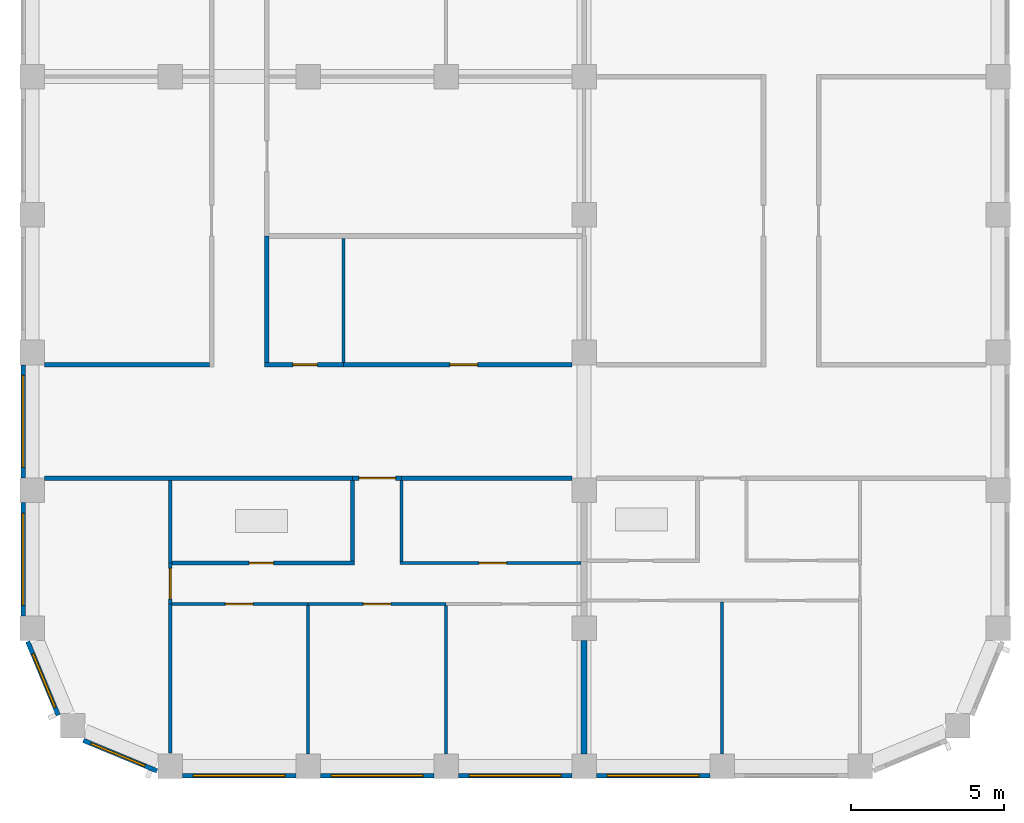
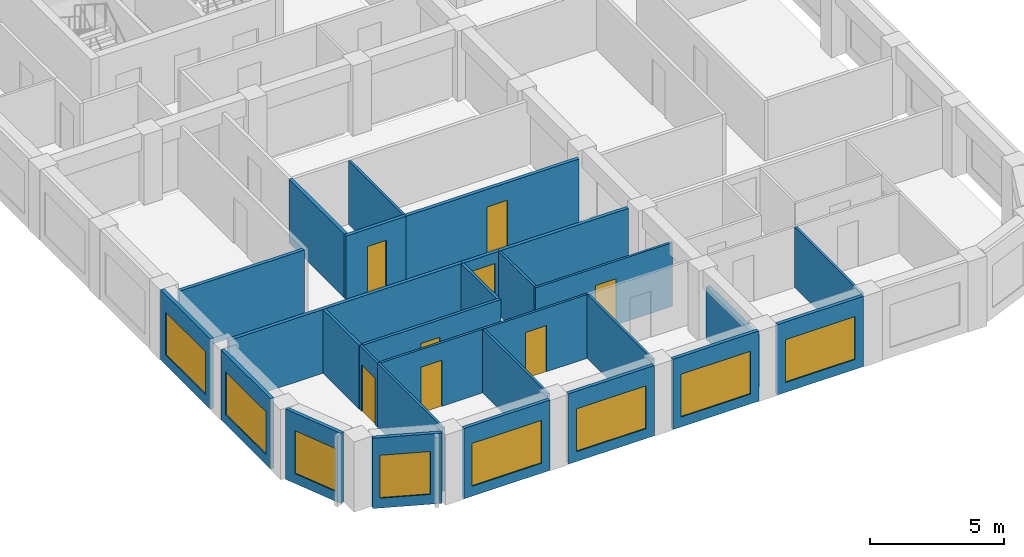
# One storey, part 2 of 10: 29 walls, 8 doors, 8 windows, 16 openings.
"""IFC4 building model written with IfcOpenShell, lengths in metres."""

from ifc_helpers import new_model, si_unit, direction, frame, frame_2d, origin, place, context, subcontext, project, spatial, rectangle, extrude, material, layer, layer_set, type_object, element, fill, save


model = new_model("IFC4")

# Units and contexts
model_context = context("Model", 3, precision=1e-05, world=origin(), true_north=direction((0.0, 1.0)))
body_context = subcontext(model_context, "Body", "Model", "MODEL_VIEW")
ifc_project = project(units=[si_unit("LENGTHUNIT", "METRE"), si_unit("AREAUNIT", "SQUARE_METRE"), si_unit("VOLUMEUNIT", "CUBIC_METRE"), si_unit("PLANEANGLEUNIT", "RADIAN"), si_unit("MASSUNIT", "GRAM", prefix="KILO")], contexts=[model_context])

# Site, building, storey
site_placement = place(None, origin())
site = spatial("IfcSite", under=ifc_project, at=site_placement, CompositionType="ELEMENT")
building_placement = place(site_placement, origin())
building = spatial("IfcBuilding", under=site, at=building_placement, Name="Girih Gate Residences", CompositionType="ELEMENT")
storey_placement = place(building_placement, frame((0.0, 0.0, 229.294921875)))
storey = spatial("IfcBuildingStorey", under=building, at=storey_placement, Name="L64", CompositionType="ELEMENT", Elevation=229.294921875)

# Wall, opening, door
ifc_material_1 = material(Name="Gypsum board on steel studs", Category="steel")
ifc_layer_1 = layer(ifc_material_1, 0.14990234375)
ifc_layer_set_1 = layer_set([ifc_layer_1], Name="Compartment wall 150 mm")
wall_type_1 = type_object("IfcWallType", Name="Compartment wall 150 mm", PredefinedType="PARTITIONING", material=ifc_layer_set_1)
wall_1_placement = place(storey_placement, frame((12.050048828125, 9.39990234375, 0.0), z_axis=(0.0, 0.0, 1.0), x_axis=(-1.0, 0.0, 0.0)))
wall_1 = element("IfcWall", 1, at=wall_1_placement, inside=storey, type_object=wall_type_1, Name="L64 partition", PredefinedType="PARTITIONING", context=body_context, shape_type="SweptSolid", body=[
    extrude(rectangle(XDim=1.60009765625, YDim=0.14990234375, at=frame_2d((0.800048828125, 0.0))), origin(), (0.0, 0.0, 1.0), 2.900146484375),
])
opening_1_placement = place(wall_1_placement, frame((0.199951171875, 0.0, 0.0)))
opening_1 = element("IfcOpeningElement", 2, at=opening_1_placement, cuts=wall_1, Name="Opening A64-007", PredefinedType="OPENING", context=body_context, shape_type="SweptSolid", body=[
    extrude(rectangle(XDim=1.199951171875, YDim=2.39990234375, at=frame_2d((0.60009765625, 1.199951171875))), frame((0.0, 0.0849609375, 0.0), z_axis=(0.0, -1.0, 0.0), x_axis=(1.0, 0.0, 0.0)), (0.0, 0.0, 1.0), 0.169921875),
])
ifc_material_2 = material(Name="Timber, fire-rated core", Category="wood")
door_type_1 = type_object("IfcDoorType", Name="Villa entrance door 1200x2400 FD30S", OperationType="NOTDEFINED", PredefinedType="DOOR", material=ifc_material_2)
door_1_placement = place(opening_1_placement, origin())
door_1 = element("IfcDoor", 3, at=door_1_placement, inside=storey, type_object=door_type_1, Name="Door A64-007", OperationType="SINGLE_SWING_LEFT", OverallHeight=2.39990234375, OverallWidth=1.199951171875, PredefinedType="DOOR", context=body_context, shape_type="SweptSolid", body=[
    extrude(rectangle(XDim=1.199951171875, YDim=2.39990234375, at=frame_2d((0.60009765625, 1.199951171875))), frame((0.0, 0.02490234375, 0.0), z_axis=(0.0, -1.0, 0.0), x_axis=(1.0, 0.0, 0.0)), (0.0, 0.0, 1.0), 0.050048828125),
])
fill(opening_1, door_1)

# Walls
wall_2_placement = place(storey_placement, frame((12.050048828125, 9.39990234375, 0.0), z_axis=(0.0, 0.0, 1.0), x_axis=(1.0, 0.0, 0.0)))
element("IfcWall", 4, at=wall_2_placement, inside=storey, type_object=wall_type_1, Name="L64 partition", PredefinedType="PARTITIONING", context=body_context, shape_type="SweptSolid", body=[
    extrude(rectangle(XDim=5.550048828125, YDim=0.14990234375, at=frame_2d((2.77490234375, 0.0))), origin(), (0.0, 0.0, 1.0), 2.900146484375),
])
wall_3_placement = place(storey_placement, frame((0.39990234375, 9.39990234375, 0.0), z_axis=(0.0, 0.0, 1.0), x_axis=(1.0, 0.0, 0.0)))
element("IfcWall", 5, at=wall_3_placement, inside=storey, type_object=wall_type_1, Name="L64 partition", PredefinedType="PARTITIONING", context=body_context, shape_type="SweptSolid", body=[
    extrude(rectangle(XDim=10.050048828125, YDim=0.14990234375, at=frame_2d((5.02490234375, 0.0))), origin(), (0.0, 0.0, 1.0), 2.900146484375),
])

# Wall, opening, door
wall_4_placement = place(storey_placement, frame((10.14990234375, 13.10009765625, 0.0), z_axis=(0.0, 0.0, 1.0), x_axis=(1.0, 0.0, 0.0)))
wall_4 = element("IfcWall", 6, at=wall_4_placement, inside=storey, type_object=wall_type_1, Name="L64 partition", PredefinedType="PARTITIONING", context=body_context, shape_type="SweptSolid", body=[
    extrude(rectangle(XDim=7.4501953125, YDim=0.14990234375, at=frame_2d((3.72509765625, 0.0))), origin(), (0.0, 0.0, 1.0), 2.900146484375),
])
opening_2_placement = place(wall_4_placement, frame((3.47509765625, 0.0, 0.0)))
opening_2 = element("IfcOpeningElement", 7, at=opening_2_placement, cuts=wall_4, Name="Opening A64-029", PredefinedType="OPENING", context=body_context, shape_type="SweptSolid", body=[
    extrude(rectangle(XDim=0.89990234375, YDim=2.10009765625, at=frame_2d((0.449951171875, 1.050048828125))), frame((0.0, 0.0849609375, 0.0), z_axis=(0.0, -1.0, 0.0), x_axis=(1.0, 0.0, 0.0)), (0.0, 0.0, 1.0), 0.169921875),
])
ifc_material_3 = material(Name="Timber", Category="wood")
door_type_2 = type_object("IfcDoorType", Name="Service room door 900x2100", OperationType="NOTDEFINED", PredefinedType="DOOR", material=ifc_material_3)
door_2_placement = place(opening_2_placement, origin())
door_2 = element("IfcDoor", 8, at=door_2_placement, inside=storey, type_object=door_type_2, Name="Door A64-029", OperationType="SINGLE_SWING_RIGHT", OverallHeight=2.10009765625, OverallWidth=0.89990234375, PredefinedType="DOOR", context=body_context, shape_type="SweptSolid", body=[
    extrude(rectangle(XDim=0.89990234375, YDim=2.10009765625, at=frame_2d((0.449951171875, 1.050048828125))), frame((0.0, 0.02490234375, 0.0), z_axis=(0.0, -1.0, 0.0), x_axis=(1.0, 0.0, 0.0)), (0.0, 0.0, 1.0), 0.050048828125),
])
fill(opening_2, door_2)

wall_5_placement = place(storey_placement, frame((7.574951171875, 13.10009765625, 0.0), z_axis=(0.0, 0.0, 1.0), x_axis=(1.0, 0.0, 0.0)))
wall_5 = element("IfcWall", 9, at=wall_5_placement, inside=storey, type_object=wall_type_1, Name="L64 partition", PredefinedType="PARTITIONING", context=body_context, shape_type="SweptSolid", body=[
    extrude(rectangle(XDim=2.574951171875, YDim=0.14990234375, at=frame_2d((1.28759765625, 0.0))), origin(), (0.0, 0.0, 1.0), 2.900146484375),
])
opening_3_placement = place(wall_5_placement, frame((0.925048828125, 0.0, 0.0)))
opening_3 = element("IfcOpeningElement", 10, at=opening_3_placement, cuts=wall_5, Name="Opening A64-030", PredefinedType="OPENING", context=body_context, shape_type="SweptSolid", body=[
    extrude(rectangle(XDim=0.800048828125, YDim=2.10009765625, at=frame_2d((0.39990234375, 1.050048828125))), frame((0.0, 0.0849609375, 0.0), z_axis=(0.0, -1.0, 0.0), x_axis=(1.0, 0.0, 0.0)), (0.0, 0.0, 1.0), 0.169921875),
])
door_type_3 = type_object("IfcDoorType", Name="Bathroom door 800x2100", OperationType="NOTDEFINED", PredefinedType="DOOR", material=ifc_material_3)
door_3_placement = place(opening_3_placement, origin())
door_3 = element("IfcDoor", 11, at=door_3_placement, inside=storey, type_object=door_type_3, Name="Door A64-030", OperationType="SINGLE_SWING_RIGHT", OverallHeight=2.10009765625, OverallWidth=0.800048828125, PredefinedType="DOOR", context=body_context, shape_type="SweptSolid", body=[
    extrude(rectangle(XDim=0.800048828125, YDim=2.10009765625, at=frame_2d((0.39990234375, 1.050048828125))), frame((0.0, 0.02490234375, 0.0), z_axis=(0.0, -1.0, 0.0), x_axis=(1.0, 0.0, 0.0)), (0.0, 0.0, 1.0), 0.050048828125),
])
fill(opening_3, door_3)

# Walls
wall_6_placement = place(storey_placement, frame((0.39990234375, 13.10009765625, 0.0), z_axis=(0.0, 0.0, 1.0), x_axis=(1.0, 0.0, 0.0)))
element("IfcWall", 12, at=wall_6_placement, inside=storey, type_object=wall_type_1, Name="L64 partition", PredefinedType="PARTITIONING", context=body_context, shape_type="SweptSolid", body=[
    extrude(rectangle(XDim=5.375, YDim=0.14990234375, at=frame_2d((2.6875, 0.0))), origin(), (0.0, 0.0, 1.0), 2.900146484375),
])
wall_7_placement = place(storey_placement, frame((7.64990234375, 13.175048828125, 0.0), z_axis=(0.0, 0.0, 1.0), x_axis=(0.0, 1.0, 0.0)))
element("IfcWall", 13, at=wall_7_placement, inside=storey, type_object=wall_type_1, Name="L64 partition", PredefinedType="PARTITIONING", context=body_context, shape_type="SweptSolid", body=[
    extrude(rectangle(XDim=4.125, YDim=0.14990234375, at=frame_2d((2.0625, 0.0))), origin(), (0.0, 0.0, 1.0), 2.900146484375),
])
ifc_layer_2 = layer(ifc_material_1, 0.10009765625)
ifc_layer_set_2 = layer_set([ifc_layer_2], Name="Partition 100 mm")
wall_type_2 = type_object("IfcWallType", Name="Partition 100 mm", PredefinedType="PARTITIONING", material=ifc_layer_set_2)
wall_8_placement = place(storey_placement, frame((9.0, 0.39990234375, 0.0), z_axis=(0.0, 0.0, 1.0), x_axis=(0.0, 1.0, 0.0)))
element("IfcWall", 14, at=wall_8_placement, inside=storey, type_object=wall_type_2, Name="L64 partition", PredefinedType="PARTITIONING", context=body_context, shape_type="SweptSolid", body=[
    extrude(rectangle(XDim=4.840087890625, YDim=0.10009765625, at=frame_2d((2.419921875, 0.0))), origin(), (0.0, 0.0, 1.0), 2.900146484375),
])

# Wall, opening, door
wall_9_placement = place(storey_placement, frame((9.0, 5.2900390625, 0.0), z_axis=(0.0, 0.0, 1.0), x_axis=(-1.0, 0.0, 0.0)))
wall_9 = element("IfcWall", 15, at=wall_9_placement, inside=storey, type_object=wall_type_2, Name="L64 partition", PredefinedType="PARTITIONING", context=body_context, shape_type="SweptSolid", body=[
    extrude(rectangle(XDim=4.449951171875, YDim=0.10009765625, at=frame_2d((2.22509765625, 0.0))), origin(), (0.0, 0.0, 1.0), 2.900146484375),
])
opening_4_placement = place(wall_9_placement, frame((1.800048828125, 0.0, 0.0)))
opening_4 = element("IfcOpeningElement", 16, at=opening_4_placement, cuts=wall_9, Name="Opening A64-002", PredefinedType="OPENING", context=body_context, shape_type="SweptSolid", body=[
    extrude(rectangle(XDim=0.89990234375, YDim=2.10009765625, at=frame_2d((0.449951171875, 1.050048828125))), frame((0.0, 0.06005859375, 0.0), z_axis=(0.0, -1.0, 0.0), x_axis=(1.0, 0.0, 0.0)), (0.0, 0.0, 1.0), 0.1201171875),
])
door_type_4 = type_object("IfcDoorType", Name="Bedroom door 900x2100", OperationType="NOTDEFINED", PredefinedType="DOOR", material=ifc_material_3)
door_4_placement = place(opening_4_placement, origin())
door_4 = element("IfcDoor", 17, at=door_4_placement, inside=storey, type_object=door_type_4, Name="Door A64-002", OperationType="SINGLE_SWING_RIGHT", OverallHeight=2.10009765625, OverallWidth=0.89990234375, PredefinedType="DOOR", context=body_context, shape_type="SweptSolid", body=[
    extrude(rectangle(XDim=0.89990234375, YDim=2.10009765625, at=frame_2d((0.449951171875, 1.050048828125))), frame((0.0, 0.02490234375, 0.0), z_axis=(0.0, -1.0, 0.0), x_axis=(1.0, 0.0, 0.0)), (0.0, 0.0, 1.0), 0.050048828125),
])
fill(opening_4, door_4)

# Walls
wall_10_placement = place(storey_placement, frame((4.5, 0.432861328125, 0.0), z_axis=(0.0, 0.0, 1.0), x_axis=(0.0, 1.0, 0.0)))
element("IfcWall", 18, at=wall_10_placement, inside=storey, type_object=wall_type_2, Name="L64 partition", PredefinedType="PARTITIONING", context=body_context, shape_type="SweptSolid", body=[
    extrude(rectangle(XDim=4.857177734375, YDim=0.10009765625, at=frame_2d((2.4287109375, 0.0))), origin(), (0.0, 0.0, 1.0), 2.900146484375),
])
wall_11_placement = place(storey_placement, frame((13.5, 0.39990234375, 0.0), z_axis=(0.0, 0.0, 1.0), x_axis=(0.0, 1.0, 0.0)))
element("IfcWall", 19, at=wall_11_placement, inside=storey, type_object=wall_type_2, Name="L64 partition", PredefinedType="PARTITIONING", context=body_context, shape_type="SweptSolid", body=[
    extrude(rectangle(XDim=4.840087890625, YDim=0.10009765625, at=frame_2d((2.419921875, 0.0))), origin(), (0.0, 0.0, 1.0), 2.900146484375),
])

# Wall, opening, door
wall_12_placement = place(storey_placement, frame((13.5, 5.2900390625, 0.0), z_axis=(0.0, 0.0, 1.0), x_axis=(-1.0, 0.0, 0.0)))
wall_12 = element("IfcWall", 20, at=wall_12_placement, inside=storey, type_object=wall_type_2, Name="L64 partition", PredefinedType="PARTITIONING", context=body_context, shape_type="SweptSolid", body=[
    extrude(rectangle(XDim=4.5, YDim=0.10009765625, at=frame_2d((2.25, 0.0))), origin(), (0.0, 0.0, 1.0), 2.900146484375),
])
opening_5_placement = place(wall_12_placement, frame((1.800048828125, 0.0, 0.0)))
opening_5 = element("IfcOpeningElement", 21, at=opening_5_placement, cuts=wall_12, Name="Opening A64-003", PredefinedType="OPENING", context=body_context, shape_type="SweptSolid", body=[
    extrude(rectangle(XDim=0.89990234375, YDim=2.10009765625, at=frame_2d((0.449951171875, 1.050048828125))), frame((0.0, 0.06005859375, 0.0), z_axis=(0.0, -1.0, 0.0), x_axis=(1.0, 0.0, 0.0)), (0.0, 0.0, 1.0), 0.1201171875),
])
door_5_placement = place(opening_5_placement, origin())
door_5 = element("IfcDoor", 22, at=door_5_placement, inside=storey, type_object=door_type_4, Name="Door A64-003", OperationType="SINGLE_SWING_LEFT", OverallHeight=2.10009765625, OverallWidth=0.89990234375, PredefinedType="DOOR", context=body_context, shape_type="SweptSolid", body=[
    extrude(rectangle(XDim=0.89990234375, YDim=2.10009765625, at=frame_2d((0.449951171875, 1.050048828125))), frame((0.0, 0.02490234375, 0.0), z_axis=(0.0, -1.0, 0.0), x_axis=(1.0, 0.0, 0.0)), (0.0, 0.0, 1.0), 0.050048828125),
])
fill(opening_5, door_5)

# Wall
wall_13_placement = place(storey_placement, frame((12.050048828125, 6.679931640625, 0.0), z_axis=(0.0, 0.0, 1.0), x_axis=(0.0, 1.0, 0.0)))
element("IfcWall", 23, at=wall_13_placement, inside=storey, type_object=wall_type_2, Name="L64 partition", PredefinedType="PARTITIONING", context=body_context, shape_type="SweptSolid", body=[
    extrude(rectangle(XDim=2.64501953125, YDim=0.10009765625, at=frame_2d((1.322509765625, 0.0))), origin(), (0.0, 0.0, 1.0), 2.900146484375),
])

# Wall, opening, door
wall_14_placement = place(storey_placement, frame((12.0, 6.6298828125, 0.0), z_axis=(0.0, 0.0, 1.0), x_axis=(1.0, 0.0, 0.0)))
wall_14 = element("IfcWall", 24, at=wall_14_placement, inside=storey, type_object=wall_type_2, Name="L64 partition", PredefinedType="PARTITIONING", context=body_context, shape_type="SweptSolid", body=[
    extrude(rectangle(XDim=5.89990234375, YDim=0.10009765625, at=frame_2d((2.949951171875, 0.0))), origin(), (0.0, 0.0, 1.0), 2.900146484375),
])
opening_6_placement = place(wall_14_placement, frame((2.574951171875, 0.0, 0.0)))
opening_6 = element("IfcOpeningElement", 25, at=opening_6_placement, cuts=wall_14, Name="Opening A64-005", PredefinedType="OPENING", context=body_context, shape_type="SweptSolid", body=[
    extrude(rectangle(XDim=0.89990234375, YDim=2.10009765625, at=frame_2d((0.449951171875, 1.050048828125))), frame((0.0, 0.06005859375, 0.0), z_axis=(0.0, -1.0, 0.0), x_axis=(1.0, 0.0, 0.0)), (0.0, 0.0, 1.0), 0.1201171875),
])
door_type_5 = type_object("IfcDoorType", Name="Kitchen door 900x2100", OperationType="NOTDEFINED", PredefinedType="DOOR", material=ifc_material_3)
door_6_placement = place(opening_6_placement, origin())
door_6 = element("IfcDoor", 26, at=door_6_placement, inside=storey, type_object=door_type_5, Name="Door A64-005", OperationType="SINGLE_SWING_RIGHT", OverallHeight=2.10009765625, OverallWidth=0.89990234375, PredefinedType="DOOR", context=body_context, shape_type="SweptSolid", body=[
    extrude(rectangle(XDim=0.89990234375, YDim=2.10009765625, at=frame_2d((0.449951171875, 1.050048828125))), frame((0.0, 0.02490234375, 0.0), z_axis=(0.0, -1.0, 0.0), x_axis=(1.0, 0.0, 0.0)), (0.0, 0.0, 1.0), 0.050048828125),
])
fill(opening_6, door_6)

wall_15_placement = place(storey_placement, frame((4.5, 5.2900390625, 0.0), z_axis=(0.0, 0.0, 1.0), x_axis=(0.0, 1.0, 0.0)))
wall_15 = element("IfcWall", 27, at=wall_15_placement, inside=storey, type_object=wall_type_2, Name="L64 partition", PredefinedType="PARTITIONING", context=body_context, shape_type="SweptSolid", body=[
    extrude(rectangle(XDim=1.33984375, YDim=0.10009765625, at=frame_2d((0.669921875, 0.0))), origin(), (0.0, 0.0, 1.0), 2.900146484375),
])
opening_7_placement = place(wall_15_placement, frame((0.169921875, 0.0, 0.0)))
opening_7 = element("IfcOpeningElement", 28, at=opening_7_placement, cuts=wall_15, Name="Opening A64-006", PredefinedType="OPENING", context=body_context, shape_type="SweptSolid", body=[
    extrude(rectangle(XDim=1.0, YDim=2.10009765625, at=frame_2d((0.5, 1.050048828125))), frame((0.0, 0.06005859375, 0.0), z_axis=(0.0, -1.0, 0.0), x_axis=(1.0, 0.0, 0.0)), (0.0, 0.0, 1.0), 0.1201171875),
])
door_type_6 = type_object("IfcDoorType", Name="Living room door 1000x2100", OperationType="NOTDEFINED", PredefinedType="DOOR", material=ifc_material_3)
door_7_placement = place(opening_7_placement, origin())
door_7 = element("IfcDoor", 29, at=door_7_placement, inside=storey, type_object=door_type_6, Name="Door A64-006", OperationType="SINGLE_SWING_RIGHT", OverallHeight=2.10009765625, OverallWidth=1.0, PredefinedType="DOOR", context=body_context, shape_type="SweptSolid", body=[
    extrude(rectangle(XDim=1.0, YDim=2.10009765625, at=frame_2d((0.5, 1.050048828125))), frame((0.0, 0.02490234375, 0.0), z_axis=(0.0, -1.0, 0.0), x_axis=(1.0, 0.0, 0.0)), (0.0, 0.0, 1.0), 0.050048828125),
])
fill(opening_7, door_7)

# Walls
wall_16_placement = place(storey_placement, frame((22.5, 0.39990234375, 0.0), z_axis=(0.0, 0.0, 1.0), x_axis=(0.0, 1.0, 0.0)))
element("IfcWall", 30, at=wall_16_placement, inside=storey, type_object=wall_type_2, Name="L64 partition", PredefinedType="PARTITIONING", context=body_context, shape_type="SweptSolid", body=[
    extrude(rectangle(XDim=4.960205078125, YDim=0.10009765625, at=frame_2d((2.47998046875, 0.0))), origin(), (0.0, 0.0, 1.0), 2.75),
])
wall_17_placement = place(storey_placement, frame((10.14990234375, 13.175048828125, 0.0), z_axis=(0.0, 0.0, 1.0), x_axis=(0.0, 1.0, 0.0)))
element("IfcWall", 31, at=wall_17_placement, inside=storey, type_object=wall_type_2, Name="L64 partition", PredefinedType="PARTITIONING", context=body_context, shape_type="SweptSolid", body=[
    extrude(rectangle(XDim=4.050048828125, YDim=0.10009765625, at=frame_2d((2.02490234375, 0.0))), origin(), (0.0, 0.0, 1.0), 2.900146484375),
])
ifc_layer_3 = layer(ifc_material_1, 0.199951171875)
ifc_layer_set_3 = layer_set([ifc_layer_3], Name="Party wall 200 mm")
wall_type_3 = type_object("IfcWallType", Name="Party wall 200 mm", PredefinedType="PARTITIONING", material=ifc_layer_set_3)
wall_18_placement = place(storey_placement, frame((18.0, 0.39990234375, 0.0), z_axis=(0.0, 0.0, 1.0), x_axis=(0.0, 1.0, 0.0)))
element("IfcWall", 32, at=wall_18_placement, inside=storey, type_object=wall_type_3, Name="L64 partition", PredefinedType="PARTITIONING", context=body_context, shape_type="SweptSolid", body=[
    extrude(rectangle(XDim=3.7001953125, YDim=0.199951171875, at=frame_2d((1.85009765625, 0.0))), origin(), (0.0, 0.0, 1.0), 2.380126953125),
])

# Wall, opening, window
ifc_material_4 = material(Name="Precast concrete C50/60", Category="concrete")
ifc_layer_4 = layer(ifc_material_4, 0.050048828125, Name="Outer leaf")
ifc_material_5 = material(Name="Rigid PIR insulation")
ifc_layer_5 = layer(ifc_material_5, 0.06005859375, Name="Insulation")
ifc_material_6 = material(Name="Precast concrete C40/50", Category="concrete")
ifc_layer_6 = layer(ifc_material_6, 0.0400390625, Name="Inner leaf")
ifc_layer_set_4 = layer_set([ifc_layer_4, ifc_layer_5, ifc_layer_6], Name="Precast concrete C50/60 external wall 150")
wall_type_4 = type_object("IfcWallType", Name="Precast concrete C50/60 external wall 150", PredefinedType="SOLIDWALL", material=ifc_layer_set_4)
wall_19_placement = place(storey_placement, frame((-0.300048828125, 9.39990234375, 0.0), z_axis=(0.0, 0.0, 1.0), x_axis=(0.0, 1.0, 0.0)))
wall_19 = element("IfcWall", 33, at=wall_19_placement, inside=storey, type_object=wall_type_4, Name="External wall W0000_0450.7", PredefinedType="SOLIDWALL", context=body_context, shape_type="SweptSolid", body=[
    extrude(rectangle(XDim=3.7001953125, YDim=0.14990234375, at=frame_2d((1.85009765625, 0.0))), origin(), (0.0, 0.0, 1.0), 3.2001953125),
])
opening_8_placement = place(wall_19_placement, frame((0.35009765625, 0.0, 0.449951171875)))
opening_8 = element("IfcOpeningElement", 34, at=opening_8_placement, cuts=wall_19, Name="Opening W-1D", PredefinedType="OPENING", context=body_context, shape_type="SweptSolid", body=[
    extrude(rectangle(XDim=3.0, YDim=1.949951171875, at=frame_2d((1.5, 0.97509765625))), frame((0.0, 0.0849609375, 0.0), z_axis=(0.0, -1.0, 0.0), x_axis=(1.0, 0.0, 0.0)), (0.0, 0.0, 1.0), 0.169921875),
])
ifc_material_7 = material(Name="Double glazing in aluminium frame", Category="aluminium")
window_type_1 = type_object("IfcWindowType", Name="Window W-1D 3000x1950", PartitioningType="SINGLE_PANEL", PredefinedType="WINDOW", material=ifc_material_7)
window_1_placement = place(opening_8_placement, origin())
window_1 = element("IfcWindow", 35, at=window_1_placement, inside=storey, type_object=window_type_1, Name="Window W-1D W0000_0450.7", OverallHeight=1.949951171875, OverallWidth=3.0, PartitioningType="SINGLE_PANEL", PredefinedType="WINDOW", context=body_context, shape_type="SweptSolid", body=[
    extrude(rectangle(XDim=3.0, YDim=1.949951171875, at=frame_2d((1.5, 0.97509765625))), frame((0.0, 0.030029296875, 0.0), z_axis=(0.0, -1.0, 0.0), x_axis=(1.0, 0.0, 0.0)), (0.0, 0.0, 1.0), 0.06005859375),
])
fill(opening_8, window_1)

wall_20_placement = place(storey_placement, frame((-0.300048828125, 4.89990234375, 0.0), z_axis=(0.0, 0.0, 1.0), x_axis=(0.0, 1.0, 0.0)))
wall_20 = element("IfcWall", 36, at=wall_20_placement, inside=storey, type_object=wall_type_4, Name="External wall W0000_0450.8", PredefinedType="SOLIDWALL", context=body_context, shape_type="SweptSolid", body=[
    extrude(rectangle(XDim=3.7001953125, YDim=0.14990234375, at=frame_2d((1.85009765625, 0.0))), origin(), (0.0, 0.0, 1.0), 3.2001953125),
])
opening_9_placement = place(wall_20_placement, frame((0.35009765625, 0.0, 0.449951171875)))
opening_9 = element("IfcOpeningElement", 37, at=opening_9_placement, cuts=wall_20, Name="Opening W-1D", PredefinedType="OPENING", context=body_context, shape_type="SweptSolid", body=[
    extrude(rectangle(XDim=3.0, YDim=1.949951171875, at=frame_2d((1.5, 0.97509765625))), frame((0.0, 0.0849609375, 0.0), z_axis=(0.0, -1.0, 0.0), x_axis=(1.0, 0.0, 0.0)), (0.0, 0.0, 1.0), 0.169921875),
])
window_2_placement = place(opening_9_placement, origin())
window_2 = element("IfcWindow", 38, at=window_2_placement, inside=storey, type_object=window_type_1, Name="Window W-1D W0000_0450.8", OverallHeight=1.949951171875, OverallWidth=3.0, PartitioningType="SINGLE_PANEL", PredefinedType="WINDOW", context=body_context, shape_type="SweptSolid", body=[
    extrude(rectangle(XDim=3.0, YDim=1.949951171875, at=frame_2d((1.5, 0.97509765625))), frame((0.0, 0.030029296875, 0.0), z_axis=(0.0, -1.0, 0.0), x_axis=(1.0, 0.0, 0.0)), (0.0, 0.0, 1.0), 0.06005859375),
])
fill(opening_9, window_2)

wall_21_placement = place(storey_placement, frame((0.8486328125, 1.6669921875, 0.0), z_axis=(0.0, 0.0, 1.0), x_axis=(-0.382669406082, 0.923885342263, 0.0)))
wall_21 = element("IfcWall", 39, at=wall_21_placement, inside=storey, type_object=wall_type_4, Name="External wall SW0000_0045.0", PredefinedType="SOLIDWALL", context=body_context, shape_type="SweptSolid", body=[
    extrude(rectangle(XDim=2.602294921875, YDim=0.14990234375, at=frame_2d((1.30126953125, 0.0))), origin(), (0.0, 0.0, 1.0), 3.2001953125),
])
opening_10_placement = place(wall_21_placement, frame((0.27001953125, 0.0, 0.449951171875)))
opening_10 = element("IfcOpeningElement", 40, at=opening_10_placement, cuts=wall_21, Name="Opening W-2G", PredefinedType="OPENING", context=body_context, shape_type="SweptSolid", body=[
    extrude(rectangle(XDim=1.89990234375, YDim=1.949951171875, at=frame_2d((0.949951171875, 0.97509765625))), frame((0.0, 0.0849609375, 0.0), z_axis=(0.0, -1.0, 0.0), x_axis=(1.0, 0.0, 0.0)), (0.0, 0.0, 1.0), 0.169921875),
])
window_type_2 = type_object("IfcWindowType", Name="Window W-2G 1900x1950", PartitioningType="SINGLE_PANEL", PredefinedType="WINDOW", material=ifc_material_7)
window_3_placement = place(opening_10_placement, origin())
window_3 = element("IfcWindow", 41, at=window_3_placement, inside=storey, type_object=window_type_2, Name="Window W-2G SW0000_0045.0", OverallHeight=1.949951171875, OverallWidth=1.89990234375, PartitioningType="SINGLE_PANEL", PredefinedType="WINDOW", context=body_context, shape_type="SweptSolid", body=[
    extrude(rectangle(XDim=1.89990234375, YDim=1.949951171875, at=frame_2d((0.949951171875, 0.97509765625))), frame((0.0, 0.030029296875, 0.0), z_axis=(0.0, -1.0, 0.0), x_axis=(1.0, 0.0, 0.0)), (0.0, 0.0, 1.0), 0.06005859375),
])
fill(opening_10, window_3)

wall_22_placement = place(storey_placement, frame((4.0712890625, -0.147216796875, 0.0), z_axis=(0.0, 0.0, 1.0), x_axis=(-0.923885342263, 0.382669406082, 0.0)))
wall_22 = element("IfcWall", 42, at=wall_22_placement, inside=storey, type_object=wall_type_4, Name="External wall SW0013_0013.0", PredefinedType="SOLIDWALL", context=body_context, shape_type="SweptSolid", body=[
    extrude(rectangle(XDim=2.602294921875, YDim=0.14990234375, at=frame_2d((1.30126953125, 0.0))), origin(), (0.0, 0.0, 1.0), 3.2001953125),
])
opening_11_placement = place(wall_22_placement, frame((0.432373046875, 0.0, 0.449951171875)))
opening_11 = element("IfcOpeningElement", 43, at=opening_11_placement, cuts=wall_22, Name="Opening W-2G", PredefinedType="OPENING", context=body_context, shape_type="SweptSolid", body=[
    extrude(rectangle(XDim=1.89990234375, YDim=1.949951171875, at=frame_2d((0.949951171875, 0.97509765625))), frame((0.0, 0.0849609375, 0.0), z_axis=(0.0, -1.0, 0.0), x_axis=(1.0, 0.0, 0.0)), (0.0, 0.0, 1.0), 0.169921875),
])
window_4_placement = place(opening_11_placement, origin())
window_4 = element("IfcWindow", 44, at=window_4_placement, inside=storey, type_object=window_type_2, Name="Window W-2G SW0013_0013.0", OverallHeight=1.949951171875, OverallWidth=1.89990234375, PartitioningType="SINGLE_PANEL", PredefinedType="WINDOW", context=body_context, shape_type="SweptSolid", body=[
    extrude(rectangle(XDim=1.89990234375, YDim=1.949951171875, at=frame_2d((0.949951171875, 0.97509765625))), frame((0.0, 0.030029296875, 0.0), z_axis=(0.0, -1.0, 0.0), x_axis=(1.0, 0.0, 0.0)), (0.0, 0.0, 1.0), 0.06005859375),
])
fill(opening_11, window_4)

wall_23_placement = place(storey_placement, frame((8.60009765625, -0.300048828125, 0.0), z_axis=(0.0, 0.0, 1.0), x_axis=(-1.0, 0.0, 0.0)))
wall_23 = element("IfcWall", 45, at=wall_23_placement, inside=storey, type_object=wall_type_4, Name="External wall S0045_0000.0", PredefinedType="SOLIDWALL", context=body_context, shape_type="SweptSolid", body=[
    extrude(rectangle(XDim=3.7001953125, YDim=0.14990234375, at=frame_2d((1.85009765625, 0.0))), origin(), (0.0, 0.0, 1.0), 3.2001953125),
])
opening_12_placement = place(wall_23_placement, frame((0.35009765625, 0.0, 0.449951171875)))
opening_12 = element("IfcOpeningElement", 46, at=opening_12_placement, cuts=wall_23, Name="Opening W-1D", PredefinedType="OPENING", context=body_context, shape_type="SweptSolid", body=[
    extrude(rectangle(XDim=3.0, YDim=1.949951171875, at=frame_2d((1.5, 0.97509765625))), frame((0.0, 0.0849609375, 0.0), z_axis=(0.0, -1.0, 0.0), x_axis=(1.0, 0.0, 0.0)), (0.0, 0.0, 1.0), 0.169921875),
])
window_5_placement = place(opening_12_placement, origin())
window_5 = element("IfcWindow", 47, at=window_5_placement, inside=storey, type_object=window_type_1, Name="Window W-1D S0045_0000.0", OverallHeight=1.949951171875, OverallWidth=3.0, PartitioningType="SINGLE_PANEL", PredefinedType="WINDOW", context=body_context, shape_type="SweptSolid", body=[
    extrude(rectangle(XDim=3.0, YDim=1.949951171875, at=frame_2d((1.5, 0.97509765625))), frame((0.0, 0.030029296875, 0.0), z_axis=(0.0, -1.0, 0.0), x_axis=(1.0, 0.0, 0.0)), (0.0, 0.0, 1.0), 0.06005859375),
])
fill(opening_12, window_5)

wall_24_placement = place(storey_placement, frame((13.10009765625, -0.300048828125, 0.0), z_axis=(0.0, 0.0, 1.0), x_axis=(-1.0, 0.0, 0.0)))
wall_24 = element("IfcWall", 48, at=wall_24_placement, inside=storey, type_object=wall_type_4, Name="External wall S0045_0000.1", PredefinedType="SOLIDWALL", context=body_context, shape_type="SweptSolid", body=[
    extrude(rectangle(XDim=3.7001953125, YDim=0.14990234375, at=frame_2d((1.85009765625, 0.0))), origin(), (0.0, 0.0, 1.0), 3.2001953125),
])
opening_13_placement = place(wall_24_placement, frame((0.35009765625, 0.0, 0.449951171875)))
opening_13 = element("IfcOpeningElement", 49, at=opening_13_placement, cuts=wall_24, Name="Opening W-1D", PredefinedType="OPENING", context=body_context, shape_type="SweptSolid", body=[
    extrude(rectangle(XDim=3.0, YDim=1.949951171875, at=frame_2d((1.5, 0.97509765625))), frame((0.0, 0.0849609375, 0.0), z_axis=(0.0, -1.0, 0.0), x_axis=(1.0, 0.0, 0.0)), (0.0, 0.0, 1.0), 0.169921875),
])
window_6_placement = place(opening_13_placement, origin())
window_6 = element("IfcWindow", 50, at=window_6_placement, inside=storey, type_object=window_type_1, Name="Window W-1D S0045_0000.1", OverallHeight=1.949951171875, OverallWidth=3.0, PartitioningType="SINGLE_PANEL", PredefinedType="WINDOW", context=body_context, shape_type="SweptSolid", body=[
    extrude(rectangle(XDim=3.0, YDim=1.949951171875, at=frame_2d((1.5, 0.97509765625))), frame((0.0, 0.030029296875, 0.0), z_axis=(0.0, -1.0, 0.0), x_axis=(1.0, 0.0, 0.0)), (0.0, 0.0, 1.0), 0.06005859375),
])
fill(opening_13, window_6)

wall_25_placement = place(storey_placement, frame((17.60009765625, -0.300048828125, 0.0), z_axis=(0.0, 0.0, 1.0), x_axis=(-1.0, 0.0, 0.0)))
wall_25 = element("IfcWall", 51, at=wall_25_placement, inside=storey, type_object=wall_type_4, Name="External wall S0045_0000.2", PredefinedType="SOLIDWALL", context=body_context, shape_type="SweptSolid", body=[
    extrude(rectangle(XDim=3.7001953125, YDim=0.14990234375, at=frame_2d((1.85009765625, 0.0))), origin(), (0.0, 0.0, 1.0), 3.2001953125),
])
opening_14_placement = place(wall_25_placement, frame((0.35009765625, 0.0, 0.449951171875)))
opening_14 = element("IfcOpeningElement", 52, at=opening_14_placement, cuts=wall_25, Name="Opening W-1D", PredefinedType="OPENING", context=body_context, shape_type="SweptSolid", body=[
    extrude(rectangle(XDim=3.0, YDim=1.949951171875, at=frame_2d((1.5, 0.97509765625))), frame((0.0, 0.0849609375, 0.0), z_axis=(0.0, -1.0, 0.0), x_axis=(1.0, 0.0, 0.0)), (0.0, 0.0, 1.0), 0.169921875),
])
window_7_placement = place(opening_14_placement, origin())
window_7 = element("IfcWindow", 53, at=window_7_placement, inside=storey, type_object=window_type_1, Name="Window W-1D S0045_0000.2", OverallHeight=1.949951171875, OverallWidth=3.0, PartitioningType="SINGLE_PANEL", PredefinedType="WINDOW", context=body_context, shape_type="SweptSolid", body=[
    extrude(rectangle(XDim=3.0, YDim=1.949951171875, at=frame_2d((1.5, 0.97509765625))), frame((0.0, 0.030029296875, 0.0), z_axis=(0.0, -1.0, 0.0), x_axis=(1.0, 0.0, 0.0)), (0.0, 0.0, 1.0), 0.06005859375),
])
fill(opening_14, window_7)

wall_26_placement = place(storey_placement, frame((22.10009765625, -0.300048828125, 0.0), z_axis=(0.0, 0.0, 1.0), x_axis=(-1.0, 0.0, 0.0)))
wall_26 = element("IfcWall", 54, at=wall_26_placement, inside=storey, type_object=wall_type_4, Name="External wall S0045_0000.3", PredefinedType="SOLIDWALL", context=body_context, shape_type="SweptSolid", body=[
    extrude(rectangle(XDim=3.7001953125, YDim=0.14990234375, at=frame_2d((1.85009765625, 0.0))), origin(), (0.0, 0.0, 1.0), 3.2001953125),
])
opening_15_placement = place(wall_26_placement, frame((0.35009765625, 0.0, 0.449951171875)))
opening_15 = element("IfcOpeningElement", 55, at=opening_15_placement, cuts=wall_26, Name="Opening W-1D", PredefinedType="OPENING", context=body_context, shape_type="SweptSolid", body=[
    extrude(rectangle(XDim=3.0, YDim=1.949951171875, at=frame_2d((1.5, 0.97509765625))), frame((0.0, 0.0849609375, 0.0), z_axis=(0.0, -1.0, 0.0), x_axis=(1.0, 0.0, 0.0)), (0.0, 0.0, 1.0), 0.169921875),
])
window_8_placement = place(opening_15_placement, origin())
window_8 = element("IfcWindow", 56, at=window_8_placement, inside=storey, type_object=window_type_1, Name="Window W-1D S0045_0000.3", OverallHeight=1.949951171875, OverallWidth=3.0, PartitioningType="SINGLE_PANEL", PredefinedType="WINDOW", context=body_context, shape_type="SweptSolid", body=[
    extrude(rectangle(XDim=3.0, YDim=1.949951171875, at=frame_2d((1.5, 0.97509765625))), frame((0.0, 0.030029296875, 0.0), z_axis=(0.0, -1.0, 0.0), x_axis=(1.0, 0.0, 0.0)), (0.0, 0.0, 1.0), 0.06005859375),
])
fill(opening_15, window_8)

# Wall
ifc_layer_7 = layer(ifc_material_1, 0.125)
ifc_layer_set_5 = layer_set([ifc_layer_7], Name="Wet room wall 125 mm")
wall_type_5 = type_object("IfcWallType", Name="Wet room wall 125 mm", PredefinedType="PARTITIONING", material=ifc_layer_set_5)
wall_27_placement = place(storey_placement, frame((10.449951171875, 6.6923828125, 0.0), z_axis=(0.0, 0.0, 1.0), x_axis=(0.0, 1.0, 0.0)))
element("IfcWall", 57, at=wall_27_placement, inside=storey, type_object=wall_type_5, Name="L64 partition", PredefinedType="PARTITIONING", context=body_context, shape_type="SweptSolid", body=[
    extrude(rectangle(XDim=2.632568359375, YDim=0.125, at=frame_2d((1.31640625, 0.0))), origin(), (0.0, 0.0, 1.0), 2.900146484375),
])

# Wall, opening, door
wall_28_placement = place(storey_placement, frame((4.5625, 6.6298828125, 0.0), z_axis=(0.0, 0.0, 1.0), x_axis=(1.0, 0.0, 0.0)))
wall_28 = element("IfcWall", 58, at=wall_28_placement, inside=storey, type_object=wall_type_5, Name="L64 partition", PredefinedType="PARTITIONING", context=body_context, shape_type="SweptSolid", body=[
    extrude(rectangle(XDim=5.949951171875, YDim=0.125, at=frame_2d((2.97509765625, 0.0))), origin(), (0.0, 0.0, 1.0), 2.900146484375),
])
opening_16_placement = place(wall_28_placement, frame((2.512451171875, 0.0, 0.0)))
opening_16 = element("IfcOpeningElement", 59, at=opening_16_placement, cuts=wall_28, Name="Opening A64-001", PredefinedType="OPENING", context=body_context, shape_type="SweptSolid", body=[
    extrude(rectangle(XDim=0.800048828125, YDim=2.10009765625, at=frame_2d((0.39990234375, 1.050048828125))), frame((0.0, 0.072509765625, 0.0), z_axis=(0.0, -1.0, 0.0), x_axis=(1.0, 0.0, 0.0)), (0.0, 0.0, 1.0), 0.14501953125),
])
door_8_placement = place(opening_16_placement, origin())
door_8 = element("IfcDoor", 60, at=door_8_placement, inside=storey, type_object=door_type_3, Name="Door A64-001", OperationType="SINGLE_SWING_LEFT", OverallHeight=2.10009765625, OverallWidth=0.800048828125, PredefinedType="DOOR", context=body_context, shape_type="SweptSolid", body=[
    extrude(rectangle(XDim=0.800048828125, YDim=2.10009765625, at=frame_2d((0.39990234375, 1.050048828125))), frame((0.0, 0.02490234375, 0.0), z_axis=(0.0, -1.0, 0.0), x_axis=(1.0, 0.0, 0.0)), (0.0, 0.0, 1.0), 0.050048828125),
])
fill(opening_16, door_8)

# Wall
wall_29_placement = place(storey_placement, frame((4.5, 6.6298828125, 0.0), z_axis=(0.0, 0.0, 1.0), x_axis=(0.0, 1.0, 0.0)))
element("IfcWall", 61, at=wall_29_placement, inside=storey, type_object=wall_type_5, Name="L64 partition", PredefinedType="PARTITIONING", context=body_context, shape_type="SweptSolid", body=[
    extrude(rectangle(XDim=2.695068359375, YDim=0.125, at=frame_2d((1.34765625, 0.0))), origin(), (0.0, 0.0, 1.0), 2.900146484375),
])

save(model, "model.ifc")
